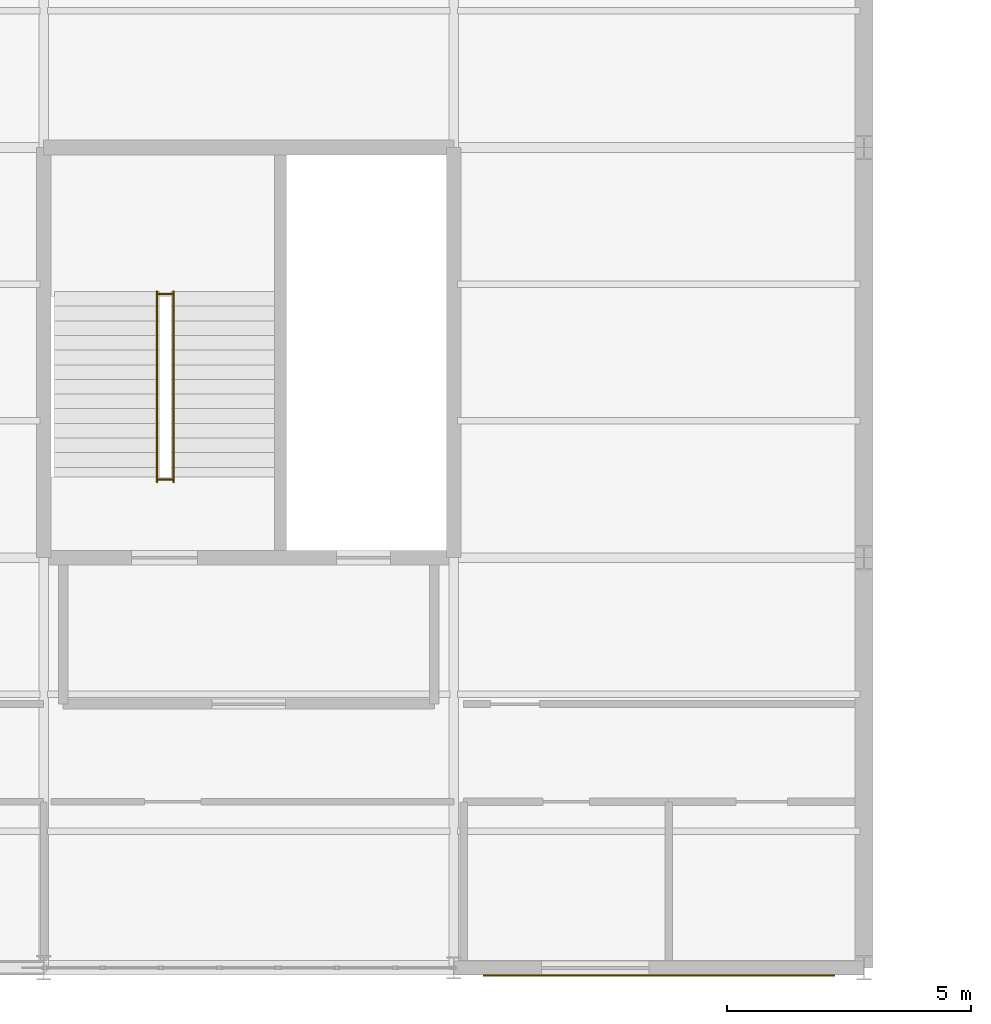
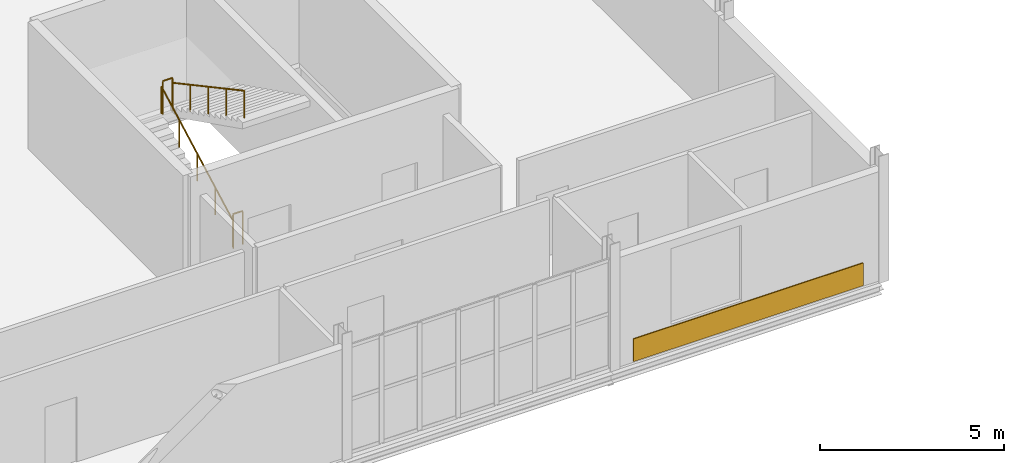
# One storey, part 63 of 69: 4 railings, 1 covering.
"""IFC4 building model written with IfcOpenShell, lengths in metres."""

import ifcopenshell
import ifcopenshell.guid

model = None  # the IFC model being written
_history = None  # IfcOwnerHistory: only IFC2X3 demands one
_inside = {}  # id of a spatial element -> (the spatial element, [elements in it])
_under = {}  # id of a project, library or spatial element -> (it, [spatial elements below it])
_declared = {}  # id of a project -> (the project, [libraries it declares])
_typed = {}  # id of a type object -> (the type object, [elements of that type])
_made_of = {}  # id of a material, layer set ... -> (it, [elements and type objects made of it])


def new_model(schema):
    """Start an empty IFC model of exactly this schema.

    Asked for "IFC4X3", IfcOpenShell would pick the latest addendum, in which some entities
    have other attributes; the version numbers below select the first issue.
    IFC2X3 requires an IfcOwnerHistory on every rooted entity: one is made here for all.
    """
    global model, _history
    if schema == "IFC4X3":
        model = ifcopenshell.file(schema_version=(4, 3, 0, 0))
    else:
        model = ifcopenshell.file(schema=schema)
    _inside.clear()
    _under.clear()
    _declared.clear()
    _typed.clear()
    _made_of.clear()
    _history = None
    if model.schema == "IFC2X3":
        org = make("IfcOrganization", Name="unknown")
        user = make(
            "IfcPersonAndOrganization",
            ThePerson=make("IfcPerson", FamilyName="unknown"),
            TheOrganization=org,
        )
        app = make(
            "IfcApplication",
            ApplicationDeveloper=org,
            Version="unknown",
            ApplicationFullName="unknown",
            ApplicationIdentifier="unknown",
        )
        _history = make(
            "IfcOwnerHistory",
            OwningUser=user,
            OwningApplication=app,
            ChangeAction="ADDED",
            CreationDate=0,
        )
    return model


def make(cls, **values):
    """One entity of the class cls with the attributes given. An attribute that is None is left unset."""
    return model.create_entity(
        cls, **{name: value for name, value in values.items() if value is not None}
    )


def rooted(cls, **values):
    """An entity with a GlobalId (a new one), such as an element, a storey or a relation."""
    return make(cls, GlobalId=ifcopenshell.guid.new(), OwnerHistory=_history, **values)


def si_unit(unit_type, name, prefix=None):
    """IfcSIUnit, for example si_unit("LENGTHUNIT", "METRE", prefix="MILLI")."""
    return make("IfcSIUnit", UnitType=unit_type, Prefix=prefix, Name=name)


def assignment(units):
    """IfcUnitAssignment: the units of a project."""
    return None if units is None else make("IfcUnitAssignment", Units=units)


def point(xyz):
    """IfcCartesianPoint."""
    return None if xyz is None else make("IfcCartesianPoint", Coordinates=xyz)


def direction(xyz):
    """IfcDirection."""
    return None if xyz is None else make("IfcDirection", DirectionRatios=xyz)


def frame(location, z_axis=None, x_axis=None):
    """IfcAxis2Placement3D, a coordinate frame: its origin and axes. An axis left out is left unset."""
    return make(
        "IfcAxis2Placement3D",
        Location=point(location),
        Axis=direction(z_axis),
        RefDirection=direction(x_axis),
    )


def frame_2d(location, x_axis=None):
    """IfcAxis2Placement2D, a coordinate frame in the plane: its origin and x axis."""
    return make(
        "IfcAxis2Placement2D", Location=point(location), RefDirection=direction(x_axis)
    )


def origin():
    """The frame at (0, 0, 0) with its axes left unset."""
    return frame((0.0, 0.0, 0.0))


def origin_2d():
    """The frame at (0, 0) in the plane with its x axis left unset."""
    return frame_2d((0.0, 0.0))


def place(relative_to, where):
    """IfcLocalPlacement: puts the frame where relative to a parent placement (None: the world)."""
    return make(
        "IfcLocalPlacement", PlacementRelTo=relative_to, RelativePlacement=where
    )


def context(
    kind, dimensions, precision=None, world=None, true_north=None, identifier=None
):
    """IfcGeometricRepresentationContext, for example the 3D "Model" context."""
    return make(
        "IfcGeometricRepresentationContext",
        ContextIdentifier=identifier,
        ContextType=kind,
        CoordinateSpaceDimension=dimensions,
        Precision=precision,
        WorldCoordinateSystem=world,
        TrueNorth=true_north,
    )


def subcontext(parent, identifier, kind, view, scale=None):
    """IfcGeometricRepresentationSubContext, for example "Body" below "Model"."""
    return make(
        "IfcGeometricRepresentationSubContext",
        ContextIdentifier=identifier,
        ContextType=kind,
        ParentContext=parent,
        TargetScale=scale,
        TargetView=view,
    )


def project(units=None, contexts=None):
    """IfcProject with its units and contexts."""
    return rooted(
        "IfcProject",
        Name="project",
        RepresentationContexts=contexts,
        UnitsInContext=assignment(units),
    )


def spatial(cls, under=None, at=None, **own):
    """A site, building, storey or space (cls), placed at a placement, below another one or the project."""
    s = rooted(cls, ObjectPlacement=at, **own)
    if under is not None:
        _under.setdefault(under.id(), (under, []))[1].append(s)
    return s


def profile(cls, at=None, kind="AREA", **sizes):
    """A parametric profile (cls). Its sizes go by their IFC names, for example OverallWidth=200.0."""
    return make(cls, ProfileType=kind, Position=at, **sizes)


def rectangle(**sizes):
    """IfcRectangleProfileDef."""
    return profile("IfcRectangleProfileDef", **sizes)


def circle(**sizes):
    """IfcCircleProfileDef."""
    return profile("IfcCircleProfileDef", **sizes)


def extrude(swept, where, along, depth):
    """IfcExtrudedAreaSolid: the profile swept, set in the frame where, extruded along a direction by depth."""
    return make(
        "IfcExtrudedAreaSolid",
        SweptArea=swept,
        Position=where,
        ExtrudedDirection=direction(along),
        Depth=depth,
    )


def shape(context_of_items, identifier, shape_type, items):
    """IfcShapeRepresentation: the items that make up one representation, for example the "Body"."""
    return make(
        "IfcShapeRepresentation",
        ContextOfItems=context_of_items,
        RepresentationIdentifier=identifier,
        RepresentationType=shape_type,
        Items=items,
    )


def material(Name=None, Category=None):
    """IfcMaterial."""
    return make("IfcMaterial", Name=Name, Category=Category)


def layer(
    of_material, thickness, ventilated=None, Name=None, Category=None, Priority=None
):
    """IfcMaterialLayer: one layer of a wall or slab, of a material (None: an air gap)."""
    return make(
        "IfcMaterialLayer",
        Material=of_material,
        LayerThickness=thickness,
        IsVentilated=ventilated,
        Name=Name,
        Category=Category,
        Priority=Priority,
    )


def layer_set(layers, Name=None):
    """IfcMaterialLayerSet."""
    return make("IfcMaterialLayerSet", MaterialLayers=layers, LayerSetName=Name)


def made_of(thing, what):
    """Note that an element or type object is made of a material, layer set ...; save() writes the relation."""
    if what is not None:
        _made_of.setdefault(what.id(), (what, []))[1].append(thing)
    return thing


def type_object(cls, material=None, **own):
    """A type object (cls), such as IfcWallType, which elements share."""
    return made_of(rooted(cls, **own), material)


def element(
    cls,
    number,
    at=None,
    inside=None,
    cuts=None,
    type_object=None,
    material=None,
    context=None,
    identifier="Body",
    shape_type=None,
    held_by="IfcProductDefinitionShape",
    body=None,
    shapes=None,
    **own,
):
    """One element of the class cls, such as IfcWall. Its Tag is "e" and its number.

    at: its placement. inside: the storey or other place that contains it. cuts: it is an
    opening in that element (IfcRelVoidsElement). A single representation is given by context,
    identifier, shape_type and body (its items); several are given by shapes. held_by: the class
    of the entity that holds the representations. save() writes the other relations.
    """
    e = rooted(cls, Tag="e%d" % number, ObjectPlacement=at, **own)
    if body is not None:
        shapes = [shape(context, identifier, shape_type, body)]
    if shapes is not None:
        e.Representation = make(held_by, Representations=shapes)
    if inside is not None:
        _inside.setdefault(inside.id(), (inside, []))[1].append(e)
    if cuts is not None:
        rooted(
            "IfcRelVoidsElement", RelatingBuildingElement=cuts, RelatedOpeningElement=e
        )
    if type_object is not None:
        _typed.setdefault(type_object.id(), (type_object, []))[1].append(e)
    return made_of(e, material)


def aggregate(whole, parts):
    """IfcRelAggregates: a whole, such as a stair, and the parts it consists of."""
    return rooted("IfcRelAggregates", RelatingObject=whole, RelatedObjects=parts)


def save(model, path):
    """Write the relations noted so far, then the file.

    IfcRelAggregates (storeys below a building ...), IfcRelContainedInSpatialStructure (elements
    in a storey), IfcRelDefinesByType, IfcRelAssociatesMaterial and IfcRelDeclares: one each for
    every whole, place, type object, material and project.
    """
    for whole, parts in _under.values():
        aggregate(whole, parts)
    for where, things in _inside.values():
        rooted(
            "IfcRelContainedInSpatialStructure",
            RelatedElements=things,
            RelatingStructure=where,
        )
    for kind, things in _typed.values():
        rooted("IfcRelDefinesByType", RelatedObjects=things, RelatingType=kind)
    for what, things in _made_of.values():
        rooted("IfcRelAssociatesMaterial", RelatedObjects=things, RelatingMaterial=what)
    for by, libraries in _declared.values():
        rooted("IfcRelDeclares", RelatingContext=by, RelatedDefinitions=libraries)
    model.write(path)


model = new_model("IFC4")

# Units and contexts
model_context = context("Model", 3, precision=1e-05, world=origin(), true_north=direction((0.0, 1.0)))
body_context = subcontext(model_context, "Body", "Model", "MODEL_VIEW")
ifc_project = project(units=[si_unit("LENGTHUNIT", "METRE"), si_unit("AREAUNIT", "SQUARE_METRE"), si_unit("VOLUMEUNIT", "CUBIC_METRE"), si_unit("PLANEANGLEUNIT", "RADIAN"), si_unit("MASSUNIT", "GRAM", prefix="KILO")], contexts=[model_context])

# Site, building, storey
site_placement = place(None, origin())
site = spatial("IfcSite", under=ifc_project, at=site_placement, CompositionType="ELEMENT")
building_placement = place(site_placement, origin())
building = spatial("IfcBuilding", under=site, at=building_placement, Name="Qalvenar Corner Mobility Hub", CompositionType="ELEMENT")
storey_placement = place(building_placement, frame((0.0, 0.0, 13.199951171875)))
storey = spatial("IfcBuildingStorey", under=building, at=storey_placement, Name="L03", CompositionType="ELEMENT", Elevation=13.199951171875)

# Covering
ifc_material_1 = material(Name="Kashikari Glazed Turquoise Faience Tile Cladding", Category="masonry")
ifc_layer = layer(ifc_material_1, 0.034912109375)
ifc_layer_set = layer_set([ifc_layer], Name="Kashikari Glazed Turquoise Faience Tile Cladding")
covering_type = type_object("IfcCoveringType", Name="COV-CLAD-FAI", PredefinedType="CLADDING", material=ifc_layer_set)
covering_placement = place(storey_placement, frame((46.199951171875, -0.155029296875, 0.045166015625), z_axis=(0.0, 0.0, 1.0), x_axis=(1.0, 0.0, 0.0)))
element("IfcCovering", 1, at=covering_placement, inside=storey, type_object=covering_type, Name="Kashikari Faience Spandrel V3-L03-S5", PredefinedType="CLADDING", context=body_context, shape_type="SweptSolid", body=[
    extrude(rectangle(XDim=7.199951171875, YDim=0.034912109375, at=origin_2d()), origin(), (0.0, 0.0, 1.0), 0.75),
])

# Railings
ifc_material_2 = material(Name="Art Nouveau Bronze-Finished Steel Balustrade", Category="steel")
railing_type_1 = type_object("IfcRailingType", Name="RL-GUARD-110", PredefinedType="GUARDRAIL", material=ifc_material_2)
for number, where, name in (
    (2, (35.93994140625, 10.0, 0.0), "Stair Arrival Slot Guard C2-L03"),
    (3, (35.93994140625, 13.800048828125, 2.10009765625), "Stair Half-Landing Well Guard ST2-L03"),
):
    element("IfcRailing", number, at=place(storey_placement, frame(where)), inside=storey, type_object=railing_type_1, Name=name, PredefinedType="GUARDRAIL", context=body_context, shape_type="SweptSolid", body=[
        extrude(circle(Radius=0.02392578125, at=origin_2d()), frame((0.0, 0.0, 1.09619140625), z_axis=(1.0, 0.0, 0.0), x_axis=(0.0, 1.0, 0.0)), (0.0, 0.0, 1.0), 0.300048828125),
        extrude(circle(Radius=0.02099609375, at=origin_2d()), origin(), (0.0, 0.0, 1.0), 1.072021484375),
        extrude(circle(Radius=0.02099609375, at=origin_2d()), frame((0.300048828125, 0.0, 0.0)), (0.0, 0.0, 1.0), 1.072021484375),
    ])
ifc_material_3 = material(Name="Brushed Stainless Steel Handrail", Category="steel")
railing_type_2 = type_object("IfcRailingType", Name="RL-HAND-092", PredefinedType="HANDRAIL", material=ifc_material_3)
railing_1_placement = place(storey_placement, frame((35.919921875, 9.949951171875, 0.0)))
element("IfcRailing", 4, at=railing_1_placement, inside=storey, type_object=railing_type_2, Name="Stair Handrail ST2-L03-1", PredefinedType="HANDRAIL", context=body_context, shape_type="SweptSolid", body=[
    extrude(circle(Radius=0.02392578125, at=origin_2d()), frame((0.0, 0.0, 0.89599609375), z_axis=(0.0, 0.880469330154, 0.474103109733), x_axis=(-1.0, 0.0, 0.0)), (0.0, 0.0, 1.0), 4.4296875),
    extrude(circle(Radius=0.02099609375, at=origin_2d()), origin(), (0.0, 0.0, 1.0), 0.871826171875),
    extrude(circle(Radius=0.02099609375, at=origin_2d()), frame((0.0, 0.97509765625, 0.52490234375)), (0.0, 0.0, 1.0), 0.871826171875),
    extrude(circle(Radius=0.02099609375, at=origin_2d()), frame((0.0, 1.9501953125, 1.050048828125)), (0.0, 0.0, 1.0), 0.871826171875),
    extrude(circle(Radius=0.02099609375, at=origin_2d()), frame((0.0, 2.925048828125, 1.5751953125)), (0.0, 0.0, 1.0), 0.871826171875),
    extrude(circle(Radius=0.02099609375, at=origin_2d()), frame((0.0, 3.900146484375, 2.10009765625)), (0.0, 0.0, 1.0), 0.871826171875),
])
railing_2_placement = place(storey_placement, frame((36.260009765625, 13.85009765625, 2.10009765625)))
element("IfcRailing", 5, at=railing_2_placement, inside=storey, type_object=railing_type_2, Name="Stair Handrail ST2-L03-2", PredefinedType="HANDRAIL", context=body_context, shape_type="SweptSolid", body=[
    extrude(circle(Radius=0.02392578125, at=origin_2d()), frame((0.0, 0.0, 0.89599609375), z_axis=(0.0, -0.88049233674, 0.474060381114), x_axis=(1.0, 0.0, 0.0)), (0.0, 0.0, 1.0), 4.429443359375),
    extrude(circle(Radius=0.02099609375, at=origin_2d()), origin(), (0.0, 0.0, 1.0), 0.871826171875),
    extrude(circle(Radius=0.02099609375, at=origin_2d()), frame((0.0, -0.97509765625, 0.52490234375)), (0.0, 0.0, 1.0), 0.871826171875),
    extrude(circle(Radius=0.02099609375, at=origin_2d()), frame((0.0, -1.9501953125, 1.0498046875)), (0.0, 0.0, 1.0), 0.871826171875),
    extrude(circle(Radius=0.02099609375, at=origin_2d()), frame((0.0, -2.925048828125, 1.574951171875)), (0.0, 0.0, 1.0), 0.871826171875),
    extrude(circle(Radius=0.02099609375, at=origin_2d()), frame((0.0, -3.900146484375, 2.099853515625)), (0.0, 0.0, 1.0), 0.871826171875),
])

save(model, "model.ifc")
